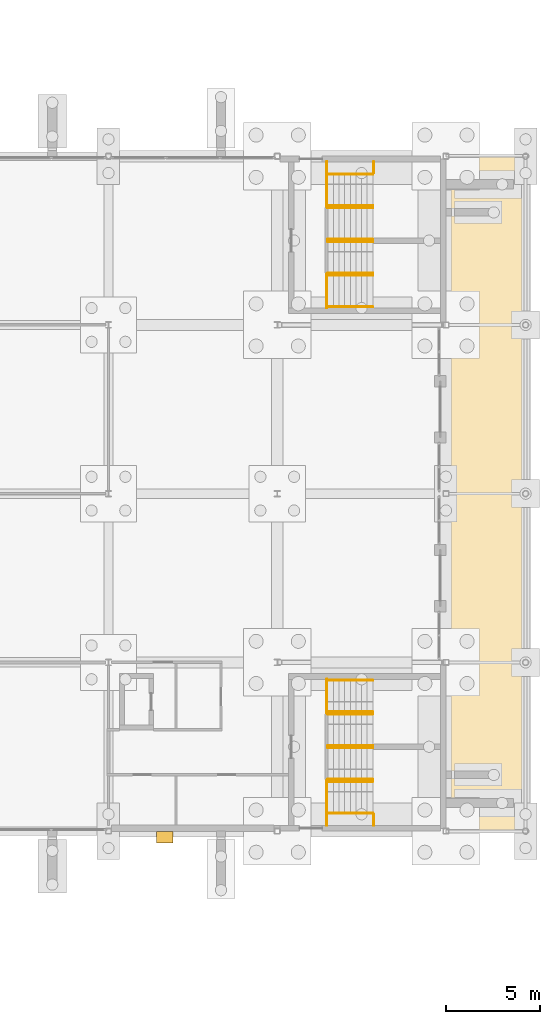
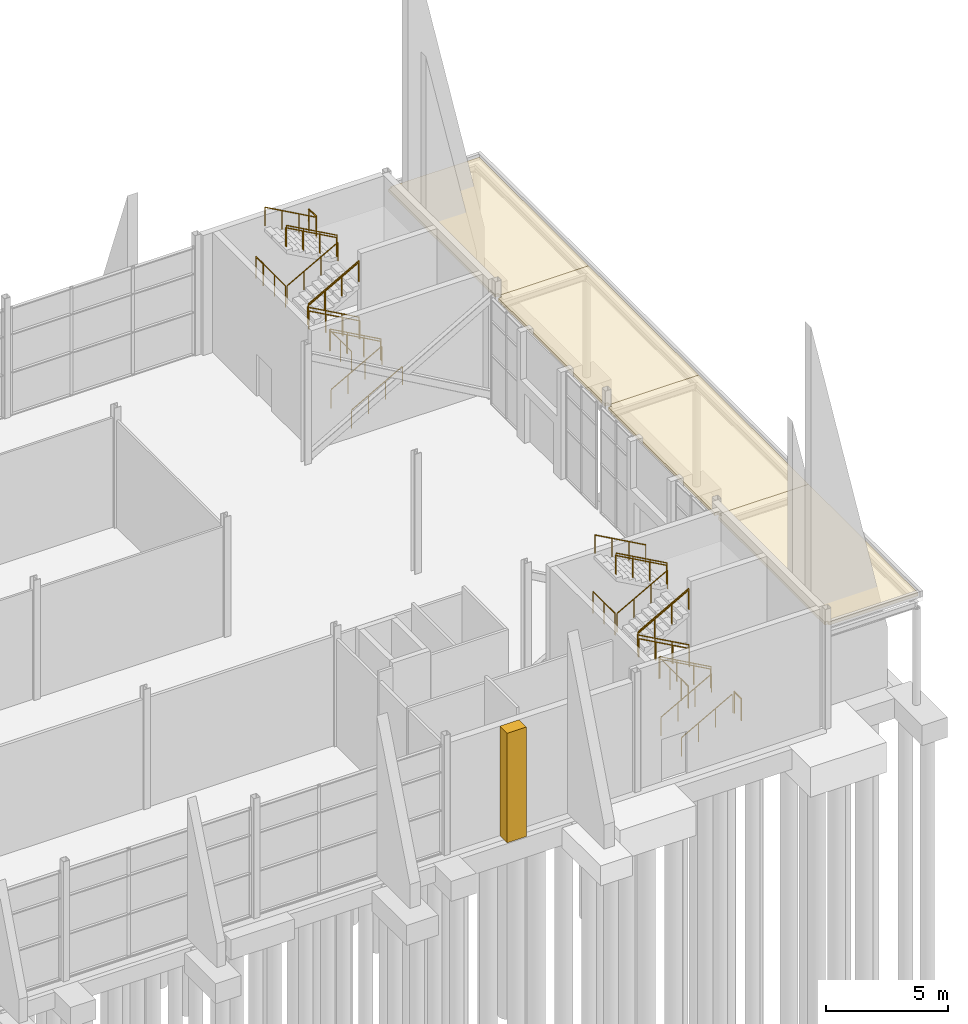
# One storey, part 138 of 139: 32 railings, 4 coverings, 1 shading device.
"""IFC4 building model written with IfcOpenShell, lengths in metres."""

from ifc_helpers import new_model, si_unit, direction, frame, origin, origin_2d, place, context, subcontext, project, spatial, polyline, rectangle, circle, outline, extrude, material, layer, layer_set, type_object, element, save


model = new_model("IFC4")

# Units and contexts
model_context = context("Model", 3, precision=1e-05, world=origin(), true_north=direction((0.0, 1.0)))
body_context = subcontext(model_context, "Body", "Model", "MODEL_VIEW")
ifc_project = project(units=[si_unit("LENGTHUNIT", "METRE"), si_unit("AREAUNIT", "SQUARE_METRE"), si_unit("VOLUMEUNIT", "CUBIC_METRE"), si_unit("PLANEANGLEUNIT", "RADIAN"), si_unit("MASSUNIT", "GRAM", prefix="KILO")], contexts=[model_context])

# Site, building, storey
site_placement = place(None, origin())
site = spatial("IfcSite", under=ifc_project, at=site_placement, CompositionType="ELEMENT")
building_placement = place(site_placement, origin())
building = spatial("IfcBuilding", under=site, at=building_placement, Name="Shorebreak Coast Museum", CompositionType="ELEMENT")
storey_placement = place(building_placement, origin())
storey = spatial("IfcBuildingStorey", under=building, at=storey_placement, Name="L00", CompositionType="ELEMENT", Elevation=0.0)

# Coverings
ifc_material_1 = material(Name="Growing medium")
ifc_layer_1 = layer(ifc_material_1, 0.14990234375)
ifc_layer_set_1 = layer_set([ifc_layer_1], Name="Growing medium")
covering_type = type_object("IfcCoveringType", Name="Green roof planting 150", PredefinedType="ROOFING", material=ifc_layer_set_1)
covering_1_placement = place(storey_placement, frame((0.0, 0.0, 5.0)))
element("IfcCovering", 1, at=covering_1_placement, inside=storey, type_object=covering_type, Name="Green roof planting arcade east 1", PredefinedType="ROOFING", context=body_context, shape_type="SweptSolid", body=[
    extrude(outline(polyline([(175.35009765625, 54.050048828125), (175.35009765625, 63.0), (171.14990234375, 63.0), (171.14990234375, 62.85009765625), (171.0, 62.85009765625), (171.0, 54.14990234375), (171.14990234375, 54.14990234375), (171.14990234375, 54.050048828125), (175.35009765625, 54.050048828125)])), origin(), (0.0, 0.0, 1.0), 0.14990234375),
])
covering_2_placement = place(storey_placement, frame((0.0, 0.0, 5.0)))
element("IfcCovering", 2, at=covering_2_placement, inside=storey, type_object=covering_type, Name="Green roof planting arcade east 2", PredefinedType="ROOFING", context=body_context, shape_type="SweptSolid", body=[
    extrude(outline(polyline([(175.35009765625, 63.0), (175.35009765625, 72.0), (171.14990234375, 72.0), (171.14990234375, 71.85009765625), (171.0, 71.85009765625), (171.0, 63.14990234375), (171.14990234375, 63.14990234375), (171.14990234375, 63.0), (175.35009765625, 63.0)])), origin(), (0.0, 0.0, 1.0), 0.14990234375),
])
covering_3_placement = place(storey_placement, frame((0.0, 0.0, 5.0)))
element("IfcCovering", 3, at=covering_3_placement, inside=storey, type_object=covering_type, Name="Green roof planting arcade east 3", PredefinedType="ROOFING", context=body_context, shape_type="SweptSolid", body=[
    extrude(outline(polyline([(175.35009765625, 72.0), (175.35009765625, 81.0), (171.14990234375, 81.0), (171.14990234375, 80.85009765625), (171.0, 80.85009765625), (171.0, 72.14990234375), (171.14990234375, 72.14990234375), (171.14990234375, 72.0), (175.35009765625, 72.0)])), origin(), (0.0, 0.0, 1.0), 0.14990234375),
])
covering_4_placement = place(storey_placement, frame((0.0, 0.0, 5.0)))
element("IfcCovering", 4, at=covering_4_placement, inside=storey, type_object=covering_type, Name="Green roof planting arcade east 4", PredefinedType="ROOFING", context=body_context, shape_type="SweptSolid", body=[
    extrude(outline(polyline([(175.35009765625, 81.0), (175.35009765625, 89.949951171875), (171.14990234375, 89.949951171875), (171.14990234375, 89.85009765625), (171.0, 89.85009765625), (171.0, 81.14990234375), (171.14990234375, 81.14990234375), (171.14990234375, 81.0), (175.35009765625, 81.0)])), origin(), (0.0, 0.0, 1.0), 0.14990234375),
])

# Shading device
ifc_material_2 = material(Name="Precast concrete C40/50", Category="concrete")
ifc_layer_2 = layer(ifc_material_2, 0.89990234375)
ifc_layer_set_2 = layer_set([ifc_layer_2], Name="Precast concrete C40/50")
shading_device_type = type_object("IfcShadingDeviceType", Name="Precast rib 900 x 600", PredefinedType="USERDEFINED", material=ifc_layer_set_2)
shading_device_placement = place(storey_placement, frame((156.0, 53.675048828125, 0.0), z_axis=(0.0, 0.0, 1.0), x_axis=(1.0, 0.0, 0.0)))
element("IfcShadingDevice", 5, at=shading_device_placement, inside=storey, type_object=shading_device_type, Name="Precast rib L00 S1", ObjectType="FIN", PredefinedType="USERDEFINED", context=body_context, shape_type="SweptSolid", body=[
    extrude(rectangle(XDim=0.89990234375, YDim=0.60009765625, at=origin_2d()), origin(), (0.0, 0.0, 1.0), 5.469482421875),
])

# Railings
ifc_material_3 = material(Name="Steel Grade 300", Category="steel")
railing_type_1 = type_object("IfcRailingType", Name="Stair guard 1100", PredefinedType="GUARDRAIL", material=ifc_material_3)
for number, where, name in (
    (6, (164.64990234375, 54.89990234375, 3.0), "Guard ST07 L00 landing mid1"),
    (7, (164.64990234375, 60.300048828125, 3.0), "Guard ST07 L00 landing mid1"),
):
    element("IfcRailing", number, at=place(storey_placement, frame(where)), inside=storey, type_object=railing_type_1, Name=name, PredefinedType="GUARDRAIL", context=body_context, shape_type="SweptSolid", body=[
        extrude(circle(Radius=0.02490234375, at=origin_2d()), frame((0.0, 0.0, 1.0751953125), z_axis=(0.0, 1.0, 0.0), x_axis=(-1.0, 0.0, 0.0)), (0.0, 0.0, 1.0), 1.800048828125),
        extrude(circle(Radius=0.02001953125, at=origin_2d()), origin(), (0.0, 0.0, 1.0), 1.050048828125),
        extrude(circle(Radius=0.02001953125, at=origin_2d()), frame((0.0, 0.89990234375, 0.0)), (0.0, 0.0, 1.0), 1.050048828125),
        extrude(circle(Radius=0.02001953125, at=origin_2d()), frame((0.0, 1.800048828125, 0.0)), (0.0, 0.0, 1.0), 1.050048828125),
    ])
for number, where, name in (
    (8, (164.64990234375, 54.300048828125, 3.0), "Guard ST07 L00 landing strip"),
    (9, (167.14990234375, 54.300048828125, 1.5), "Guard ST07 L00 landing strip"),
):
    element("IfcRailing", number, at=place(storey_placement, frame(where)), inside=storey, type_object=railing_type_1, Name=name, PredefinedType="GUARDRAIL", context=body_context, shape_type="SweptSolid", body=[
        extrude(circle(Radius=0.02490234375, at=origin_2d()), frame((0.0, 0.0, 1.0751953125), z_axis=(0.0, 1.0, 0.0), x_axis=(-1.0, 0.0, 0.0)), (0.0, 0.0, 1.0), 0.599853515625),
        extrude(circle(Radius=0.02001953125, at=origin_2d()), origin(), (0.0, 0.0, 1.0), 1.050048828125),
        extrude(circle(Radius=0.02001953125, at=origin_2d()), frame((0.0, 0.599853515625, 0.0)), (0.0, 0.0, 1.0), 1.050048828125),
    ])
for number, where, name in (
    (10, (167.10009765625, 56.699951171875, 1.666748046875), "Guard ST07-L00 well 1"),
    (11, (167.10009765625, 60.300048828125, 4.666748046875), "Guard ST07-L00 well 2"),
    (12, (167.10009765625, 58.5, 1.666748046875), "Guard ST07-L00 side 1"),
):
    element("IfcRailing", number, at=place(storey_placement, frame(where)), inside=storey, type_object=railing_type_1, Name=name, PredefinedType="GUARDRAIL", context=body_context, shape_type="SweptSolid", body=[
        extrude(circle(Radius=0.02490234375, at=origin_2d()), frame((0.0, 0.0, 1.0751953125), z_axis=(-0.874182441271, 0.0, 0.485597631145), x_axis=(0.0, -1.0, 0.0)), (0.0, 0.0, 1.0), 2.74560546875),
        extrude(circle(Radius=0.02001953125, at=origin_2d()), origin(), (0.0, 0.0, 1.0), 1.050048828125),
        extrude(circle(Radius=0.02001953125, at=origin_2d()), frame((-0.800048828125, 0.0, 0.4443359375)), (0.0, 0.0, 1.0), 1.050048828125),
        extrude(circle(Radius=0.02001953125, at=origin_2d()), frame((-1.60009765625, 0.0, 0.888916015625)), (0.0, 0.0, 1.0), 1.050048828125),
        extrude(circle(Radius=0.02001953125, at=origin_2d()), frame((-2.400146484375, 0.0, 1.333251953125)), (0.0, 0.0, 1.0), 1.050048828125),
    ])
railing_1_placement = place(storey_placement, frame((164.699951171875, 58.5, 3.166748046875)))
element("IfcRailing", 13, at=railing_1_placement, inside=storey, type_object=railing_type_1, Name="Guard ST07-L00 side 2", PredefinedType="GUARDRAIL", context=body_context, shape_type="SweptSolid", body=[
    extrude(circle(Radius=0.02490234375, at=origin_2d()), frame((0.0, 0.0, 1.0751953125), z_axis=(0.874182441271, 0.0, 0.485597631145), x_axis=(0.0, 1.0, 0.0)), (0.0, 0.0, 1.0), 2.74560546875),
    extrude(circle(Radius=0.02001953125, at=origin_2d()), origin(), (0.0, 0.0, 1.0), 1.050048828125),
    extrude(circle(Radius=0.02001953125, at=origin_2d()), frame((0.800048828125, 0.0, 0.4443359375)), (0.0, 0.0, 1.0), 1.050048828125),
    extrude(circle(Radius=0.02001953125, at=origin_2d()), frame((1.60009765625, 0.0, 0.888916015625)), (0.0, 0.0, 1.0), 1.050048828125),
    extrude(circle(Radius=0.02001953125, at=origin_2d()), frame((2.400146484375, 0.0, 1.333251953125)), (0.0, 0.0, 1.0), 1.050048828125),
])
for number, where, name in (
    (14, (164.64990234375, 81.89990234375, 3.0), "Guard ST08 L00 landing mid1"),
    (15, (164.64990234375, 87.300048828125, 3.0), "Guard ST08 L00 landing mid1"),
):
    element("IfcRailing", number, at=place(storey_placement, frame(where)), inside=storey, type_object=railing_type_1, Name=name, PredefinedType="GUARDRAIL", context=body_context, shape_type="SweptSolid", body=[
        extrude(circle(Radius=0.02490234375, at=origin_2d()), frame((0.0, 0.0, 1.0751953125), z_axis=(0.0, 1.0, 0.0), x_axis=(-1.0, 0.0, 0.0)), (0.0, 0.0, 1.0), 1.800048828125),
        extrude(circle(Radius=0.02001953125, at=origin_2d()), origin(), (0.0, 0.0, 1.0), 1.050048828125),
        extrude(circle(Radius=0.02001953125, at=origin_2d()), frame((0.0, 0.89990234375, 0.0)), (0.0, 0.0, 1.0), 1.050048828125),
        extrude(circle(Radius=0.02001953125, at=origin_2d()), frame((0.0, 1.800048828125, 0.0)), (0.0, 0.0, 1.0), 1.050048828125),
    ])
for number, where, name in (
    (16, (164.64990234375, 89.10009765625, 3.0), "Guard ST08 L00 landing strip"),
    (17, (167.14990234375, 89.10009765625, 4.5), "Guard ST08 L00 landing strip"),
):
    element("IfcRailing", number, at=place(storey_placement, frame(where)), inside=storey, type_object=railing_type_1, Name=name, PredefinedType="GUARDRAIL", context=body_context, shape_type="SweptSolid", body=[
        extrude(circle(Radius=0.02490234375, at=origin_2d()), frame((0.0, 0.0, 1.0751953125), z_axis=(0.0, 1.0, 0.0), x_axis=(-1.0, 0.0, 0.0)), (0.0, 0.0, 1.0), 0.599853515625),
        extrude(circle(Radius=0.02001953125, at=origin_2d()), origin(), (0.0, 0.0, 1.0), 1.050048828125),
        extrude(circle(Radius=0.02001953125, at=origin_2d()), frame((0.0, 0.599853515625, 0.0)), (0.0, 0.0, 1.0), 1.050048828125),
    ])
for number, where, name in (
    (18, (167.10009765625, 83.699951171875, 1.666748046875), "Guard ST08-L00 well 1"),
    (19, (167.10009765625, 87.300048828125, 4.666748046875), "Guard ST08-L00 well 2"),
    (20, (167.10009765625, 85.5, 1.666748046875), "Guard ST08-L00 side 1"),
):
    element("IfcRailing", number, at=place(storey_placement, frame(where)), inside=storey, type_object=railing_type_1, Name=name, PredefinedType="GUARDRAIL", context=body_context, shape_type="SweptSolid", body=[
        extrude(circle(Radius=0.02490234375, at=origin_2d()), frame((0.0, 0.0, 1.0751953125), z_axis=(-0.874182441271, 0.0, 0.485597631145), x_axis=(0.0, -1.0, 0.0)), (0.0, 0.0, 1.0), 2.74560546875),
        extrude(circle(Radius=0.02001953125, at=origin_2d()), origin(), (0.0, 0.0, 1.0), 1.050048828125),
        extrude(circle(Radius=0.02001953125, at=origin_2d()), frame((-0.800048828125, 0.0, 0.4443359375)), (0.0, 0.0, 1.0), 1.050048828125),
        extrude(circle(Radius=0.02001953125, at=origin_2d()), frame((-1.60009765625, 0.0, 0.888916015625)), (0.0, 0.0, 1.0), 1.050048828125),
        extrude(circle(Radius=0.02001953125, at=origin_2d()), frame((-2.400146484375, 0.0, 1.333251953125)), (0.0, 0.0, 1.0), 1.050048828125),
    ])
railing_2_placement = place(storey_placement, frame((164.699951171875, 85.5, 3.166748046875)))
element("IfcRailing", 21, at=railing_2_placement, inside=storey, type_object=railing_type_1, Name="Guard ST08-L00 side 2", PredefinedType="GUARDRAIL", context=body_context, shape_type="SweptSolid", body=[
    extrude(circle(Radius=0.02490234375, at=origin_2d()), frame((0.0, 0.0, 1.0751953125), z_axis=(0.874182441271, 0.0, 0.485597631145), x_axis=(0.0, 1.0, 0.0)), (0.0, 0.0, 1.0), 2.74560546875),
    extrude(circle(Radius=0.02001953125, at=origin_2d()), origin(), (0.0, 0.0, 1.0), 1.050048828125),
    extrude(circle(Radius=0.02001953125, at=origin_2d()), frame((0.800048828125, 0.0, 0.4443359375)), (0.0, 0.0, 1.0), 1.050048828125),
    extrude(circle(Radius=0.02001953125, at=origin_2d()), frame((1.60009765625, 0.0, 0.888916015625)), (0.0, 0.0, 1.0), 1.050048828125),
    extrude(circle(Radius=0.02001953125, at=origin_2d()), frame((2.400146484375, 0.0, 1.333251953125)), (0.0, 0.0, 1.0), 1.050048828125),
])
ifc_material_4 = material(Name="Steel Grade 300", Category="steel")
railing_type_2 = type_object("IfcRailingType", Name="Stair handrail 950", PredefinedType="HANDRAIL", material=ifc_material_4)
for number, where, name in (
    (22, (164.699951171875, 54.9599609375, 0.166748046875), "Handrail ST07-L00 flight 1a"),
    (23, (164.699951171875, 56.639892578125, 0.166748046875), "Handrail ST07-L00 flight 1b"),
):
    element("IfcRailing", number, at=place(storey_placement, frame(where)), inside=storey, type_object=railing_type_2, Name=name, PredefinedType="HANDRAIL", context=body_context, shape_type="SweptSolid", body=[
        extrude(circle(Radius=0.02490234375, at=origin_2d()), frame((0.0, 0.0, 0.9248046875), z_axis=(0.874182441271, 0.0, 0.485597631145), x_axis=(0.0, 1.0, 0.0)), (0.0, 0.0, 1.0), 2.74560546875),
        extrude(circle(Radius=0.02001953125, at=origin_2d()), origin(), (0.0, 0.0, 1.0), 0.89990234375),
        extrude(circle(Radius=0.02001953125, at=origin_2d()), frame((0.800048828125, 0.0, 0.4443359375)), (0.0, 0.0, 1.0), 0.89990234375),
        extrude(circle(Radius=0.02001953125, at=origin_2d()), frame((1.60009765625, 0.0, 0.888916015625)), (0.0, 0.0, 1.0), 0.89990234375),
        extrude(circle(Radius=0.02001953125, at=origin_2d()), frame((2.400146484375, 0.0, 1.333251953125)), (0.0, 0.0, 1.0), 0.89990234375),
    ])
for number, where, name in (
    (24, (167.10009765625, 56.760009765625, 1.666748046875), "Handrail ST07-L00 flight 2a"),
    (25, (167.10009765625, 58.43994140625, 1.666748046875), "Handrail ST07-L00 flight 2b"),
):
    element("IfcRailing", number, at=place(storey_placement, frame(where)), inside=storey, type_object=railing_type_2, Name=name, PredefinedType="HANDRAIL", context=body_context, shape_type="SweptSolid", body=[
        extrude(circle(Radius=0.02490234375, at=origin_2d()), frame((0.0, 0.0, 0.9248046875), z_axis=(-0.874182441271, 0.0, 0.485597631145), x_axis=(0.0, -1.0, 0.0)), (0.0, 0.0, 1.0), 2.74560546875),
        extrude(circle(Radius=0.02001953125, at=origin_2d()), origin(), (0.0, 0.0, 1.0), 0.89990234375),
        extrude(circle(Radius=0.02001953125, at=origin_2d()), frame((-0.800048828125, 0.0, 0.4443359375)), (0.0, 0.0, 1.0), 0.89990234375),
        extrude(circle(Radius=0.02001953125, at=origin_2d()), frame((-1.60009765625, 0.0, 0.888916015625)), (0.0, 0.0, 1.0), 0.89990234375),
        extrude(circle(Radius=0.02001953125, at=origin_2d()), frame((-2.400146484375, 0.0, 1.333251953125)), (0.0, 0.0, 1.0), 0.89990234375),
    ])
for number, where, name in (
    (26, (164.699951171875, 58.56005859375, 3.166748046875), "Handrail ST07-L00 flight 3a"),
    (27, (164.699951171875, 60.239990234375, 3.166748046875), "Handrail ST07-L00 flight 3b"),
):
    element("IfcRailing", number, at=place(storey_placement, frame(where)), inside=storey, type_object=railing_type_2, Name=name, PredefinedType="HANDRAIL", context=body_context, shape_type="SweptSolid", body=[
        extrude(circle(Radius=0.02490234375, at=origin_2d()), frame((0.0, 0.0, 0.9248046875), z_axis=(0.874182441271, 0.0, 0.485597631145), x_axis=(0.0, 1.0, 0.0)), (0.0, 0.0, 1.0), 2.74560546875),
        extrude(circle(Radius=0.02001953125, at=origin_2d()), origin(), (0.0, 0.0, 1.0), 0.89990234375),
        extrude(circle(Radius=0.02001953125, at=origin_2d()), frame((0.800048828125, 0.0, 0.4443359375)), (0.0, 0.0, 1.0), 0.89990234375),
        extrude(circle(Radius=0.02001953125, at=origin_2d()), frame((1.60009765625, 0.0, 0.888916015625)), (0.0, 0.0, 1.0), 0.89990234375),
        extrude(circle(Radius=0.02001953125, at=origin_2d()), frame((2.400146484375, 0.0, 1.333251953125)), (0.0, 0.0, 1.0), 0.89990234375),
    ])
for number, where, name in (
    (28, (167.10009765625, 60.360107421875, 4.666748046875), "Handrail ST07-L00 flight 4a"),
    (29, (167.10009765625, 62.0400390625, 4.666748046875), "Handrail ST07-L00 flight 4b"),
):
    element("IfcRailing", number, at=place(storey_placement, frame(where)), inside=storey, type_object=railing_type_2, Name=name, PredefinedType="HANDRAIL", context=body_context, shape_type="SweptSolid", body=[
        extrude(circle(Radius=0.02490234375, at=origin_2d()), frame((0.0, 0.0, 0.9248046875), z_axis=(-0.874182441271, 0.0, 0.485597631145), x_axis=(0.0, -1.0, 0.0)), (0.0, 0.0, 1.0), 2.74560546875),
        extrude(circle(Radius=0.02001953125, at=origin_2d()), origin(), (0.0, 0.0, 1.0), 0.89990234375),
        extrude(circle(Radius=0.02001953125, at=origin_2d()), frame((-0.800048828125, 0.0, 0.4443359375)), (0.0, 0.0, 1.0), 0.89990234375),
        extrude(circle(Radius=0.02001953125, at=origin_2d()), frame((-1.60009765625, 0.0, 0.888916015625)), (0.0, 0.0, 1.0), 0.89990234375),
        extrude(circle(Radius=0.02001953125, at=origin_2d()), frame((-2.400146484375, 0.0, 1.333251953125)), (0.0, 0.0, 1.0), 0.89990234375),
    ])
for number, where, name in (
    (30, (164.699951171875, 81.9599609375, 0.166748046875), "Handrail ST08-L00 flight 1a"),
    (31, (164.699951171875, 83.639892578125, 0.166748046875), "Handrail ST08-L00 flight 1b"),
):
    element("IfcRailing", number, at=place(storey_placement, frame(where)), inside=storey, type_object=railing_type_2, Name=name, PredefinedType="HANDRAIL", context=body_context, shape_type="SweptSolid", body=[
        extrude(circle(Radius=0.02490234375, at=origin_2d()), frame((0.0, 0.0, 0.9248046875), z_axis=(0.874182441271, 0.0, 0.485597631145), x_axis=(0.0, 1.0, 0.0)), (0.0, 0.0, 1.0), 2.74560546875),
        extrude(circle(Radius=0.02001953125, at=origin_2d()), origin(), (0.0, 0.0, 1.0), 0.89990234375),
        extrude(circle(Radius=0.02001953125, at=origin_2d()), frame((0.800048828125, 0.0, 0.4443359375)), (0.0, 0.0, 1.0), 0.89990234375),
        extrude(circle(Radius=0.02001953125, at=origin_2d()), frame((1.60009765625, 0.0, 0.888916015625)), (0.0, 0.0, 1.0), 0.89990234375),
        extrude(circle(Radius=0.02001953125, at=origin_2d()), frame((2.400146484375, 0.0, 1.333251953125)), (0.0, 0.0, 1.0), 0.89990234375),
    ])
for number, where, name in (
    (32, (167.10009765625, 83.760009765625, 1.666748046875), "Handrail ST08-L00 flight 2a"),
    (33, (167.10009765625, 85.43994140625, 1.666748046875), "Handrail ST08-L00 flight 2b"),
):
    element("IfcRailing", number, at=place(storey_placement, frame(where)), inside=storey, type_object=railing_type_2, Name=name, PredefinedType="HANDRAIL", context=body_context, shape_type="SweptSolid", body=[
        extrude(circle(Radius=0.02490234375, at=origin_2d()), frame((0.0, 0.0, 0.9248046875), z_axis=(-0.874182441271, 0.0, 0.485597631145), x_axis=(0.0, -1.0, 0.0)), (0.0, 0.0, 1.0), 2.74560546875),
        extrude(circle(Radius=0.02001953125, at=origin_2d()), origin(), (0.0, 0.0, 1.0), 0.89990234375),
        extrude(circle(Radius=0.02001953125, at=origin_2d()), frame((-0.800048828125, 0.0, 0.4443359375)), (0.0, 0.0, 1.0), 0.89990234375),
        extrude(circle(Radius=0.02001953125, at=origin_2d()), frame((-1.60009765625, 0.0, 0.888916015625)), (0.0, 0.0, 1.0), 0.89990234375),
        extrude(circle(Radius=0.02001953125, at=origin_2d()), frame((-2.400146484375, 0.0, 1.333251953125)), (0.0, 0.0, 1.0), 0.89990234375),
    ])
for number, where, name in (
    (34, (164.699951171875, 85.56005859375, 3.166748046875), "Handrail ST08-L00 flight 3a"),
    (35, (164.699951171875, 87.239990234375, 3.166748046875), "Handrail ST08-L00 flight 3b"),
):
    element("IfcRailing", number, at=place(storey_placement, frame(where)), inside=storey, type_object=railing_type_2, Name=name, PredefinedType="HANDRAIL", context=body_context, shape_type="SweptSolid", body=[
        extrude(circle(Radius=0.02490234375, at=origin_2d()), frame((0.0, 0.0, 0.9248046875), z_axis=(0.874182441271, 0.0, 0.485597631145), x_axis=(0.0, 1.0, 0.0)), (0.0, 0.0, 1.0), 2.74560546875),
        extrude(circle(Radius=0.02001953125, at=origin_2d()), origin(), (0.0, 0.0, 1.0), 0.89990234375),
        extrude(circle(Radius=0.02001953125, at=origin_2d()), frame((0.800048828125, 0.0, 0.4443359375)), (0.0, 0.0, 1.0), 0.89990234375),
        extrude(circle(Radius=0.02001953125, at=origin_2d()), frame((1.60009765625, 0.0, 0.888916015625)), (0.0, 0.0, 1.0), 0.89990234375),
        extrude(circle(Radius=0.02001953125, at=origin_2d()), frame((2.400146484375, 0.0, 1.333251953125)), (0.0, 0.0, 1.0), 0.89990234375),
    ])
for number, where, name in (
    (36, (167.10009765625, 87.360107421875, 4.666748046875), "Handrail ST08-L00 flight 4a"),
    (37, (167.10009765625, 89.0400390625, 4.666748046875), "Handrail ST08-L00 flight 4b"),
):
    element("IfcRailing", number, at=place(storey_placement, frame(where)), inside=storey, type_object=railing_type_2, Name=name, PredefinedType="HANDRAIL", context=body_context, shape_type="SweptSolid", body=[
        extrude(circle(Radius=0.02490234375, at=origin_2d()), frame((0.0, 0.0, 0.9248046875), z_axis=(-0.874182441271, 0.0, 0.485597631145), x_axis=(0.0, -1.0, 0.0)), (0.0, 0.0, 1.0), 2.74560546875),
        extrude(circle(Radius=0.02001953125, at=origin_2d()), origin(), (0.0, 0.0, 1.0), 0.89990234375),
        extrude(circle(Radius=0.02001953125, at=origin_2d()), frame((-0.800048828125, 0.0, 0.4443359375)), (0.0, 0.0, 1.0), 0.89990234375),
        extrude(circle(Radius=0.02001953125, at=origin_2d()), frame((-1.60009765625, 0.0, 0.888916015625)), (0.0, 0.0, 1.0), 0.89990234375),
        extrude(circle(Radius=0.02001953125, at=origin_2d()), frame((-2.400146484375, 0.0, 1.333251953125)), (0.0, 0.0, 1.0), 0.89990234375),
    ])

save(model, "model.ifc")
